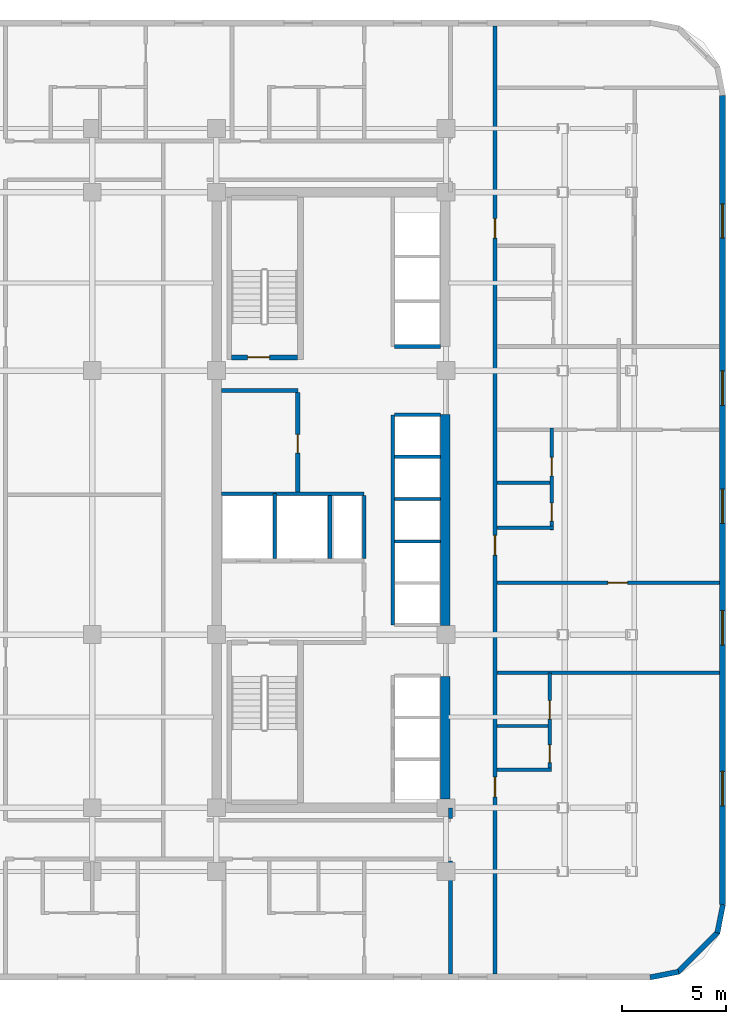
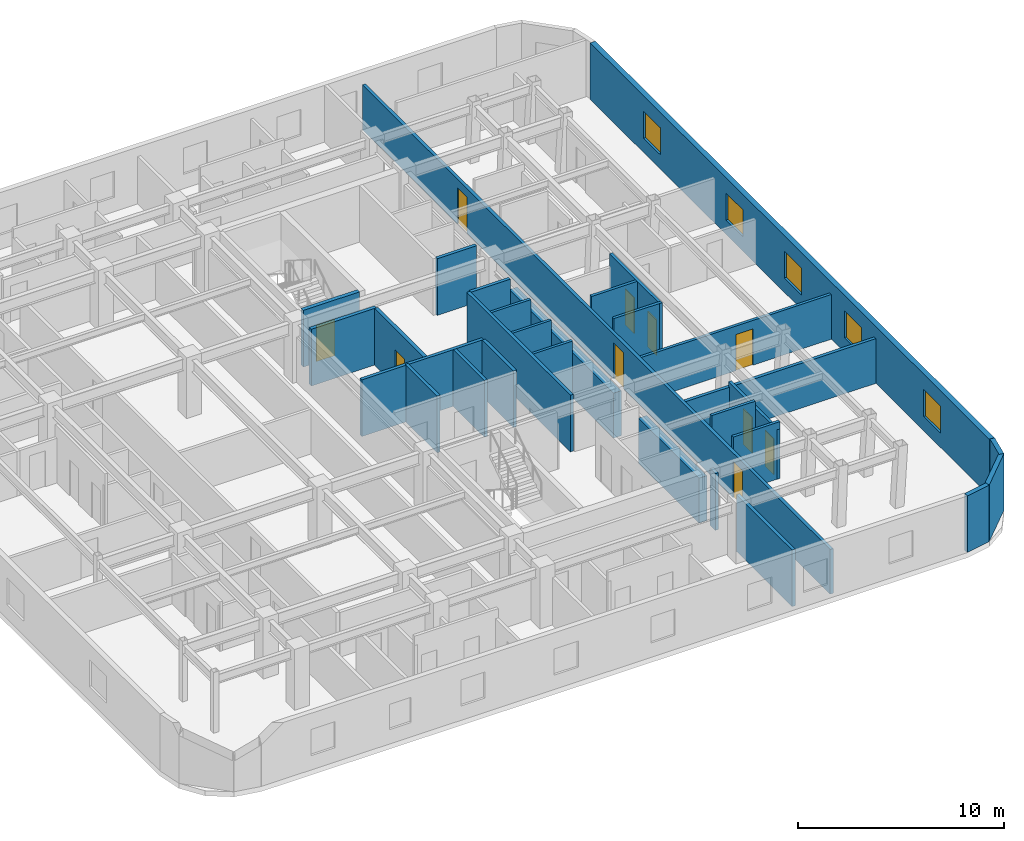
# One storey, part 8 of 12: 30 walls, 10 doors, 5 windows, 15 openings.
"""IFC4 building model written with IfcOpenShell, lengths in metres."""

from ifc_helpers import new_model, si_unit, direction, frame, frame_2d, origin, place, context, subcontext, project, spatial, rectangle, extrude, material, layer, layer_set, type_object, element, fill, save


model = new_model("IFC4")

# Units and contexts
model_context = context("Model", 3, precision=1e-05, world=origin(), true_north=direction((0.0, 1.0)))
body_context = subcontext(model_context, "Body", "Model", "MODEL_VIEW")
ifc_project = project(units=[si_unit("LENGTHUNIT", "METRE"), si_unit("AREAUNIT", "SQUARE_METRE"), si_unit("VOLUMEUNIT", "CUBIC_METRE"), si_unit("PLANEANGLEUNIT", "RADIAN"), si_unit("MASSUNIT", "GRAM", prefix="KILO")], contexts=[model_context])

# Site, building, storey
site_placement = place(None, origin())
site = spatial("IfcSite", under=ifc_project, at=site_placement, CompositionType="ELEMENT")
building_placement = place(site_placement, origin())
building = spatial("IfcBuilding", under=site, at=building_placement, Name="Ochreholt Gables", CompositionType="ELEMENT")
storey_placement = place(building_placement, frame((0.0, 0.0, 24.0)))
storey = spatial("IfcBuildingStorey", under=building, at=storey_placement, Name="L05", CompositionType="ELEMENT", Elevation=24.0)

# Walls
ifc_material_1 = material(Name="Concrete 60 MPa", Category="concrete")
ifc_layer_1 = layer(ifc_material_1, 0.449951171875, Name="Concrete 60 MPa")
ifc_layer_set_1 = layer_set([ifc_layer_1], Name="Concrete 60 MPa")
wall_type_1 = type_object("IfcWallType", Name="WALL-CSW-450", PredefinedType="SHEAR", material=ifc_layer_set_1)
wall_1_placement = place(storey_placement, frame((35.175048828125, 9.675048828125, 0.0), z_axis=(0.0, 0.0, 1.0), x_axis=(0.0, 1.0, 0.0)))
element("IfcWall", 1, at=wall_1_placement, inside=storey, type_object=wall_type_1, Name="L05 Core South-East Shear Wall", PredefinedType="SHEAR", context=body_context, shape_type="SweptSolid", body=[
    extrude(rectangle(XDim=5.875, YDim=0.449951171875, at=frame_2d((2.9375, 0.0))), origin(), (0.0, 0.0, 1.0), 2.6669921875),
])
wall_2_placement = place(storey_placement, frame((35.175048828125, 17.97509765625, 0.0), z_axis=(0.0, 0.0, 1.0), x_axis=(0.0, 1.0, 0.0)))
element("IfcWall", 2, at=wall_2_placement, inside=storey, type_object=wall_type_1, Name="L05 Core Central-East Shear Wall", PredefinedType="SHEAR", context=body_context, shape_type="SweptSolid", body=[
    extrude(rectangle(XDim=10.125, YDim=0.449951171875, at=frame_2d((5.0625, 0.0))), origin(), (0.0, 0.0, 1.0), 2.6669921875),
])

# Wall, openings, windows
ifc_material_2 = material(Name="Precast concrete 40 MPa", Category="concrete")
ifc_layer_2 = layer(ifc_material_2, 0.2900390625, Name="Precast concrete 40 MPa")
ifc_layer_set_2 = layer_set([ifc_layer_2], Name="Precast concrete 40 MPa")
wall_type_2 = type_object("IfcWallType", Name="WALL-EXT-290", PredefinedType="SOLIDWALL", material=ifc_layer_set_2)
wall_3_placement = place(storey_placement, frame((48.455078125, 4.6201171875, 0.0), z_axis=(0.0, 0.0, 1.0), x_axis=(0.0, 1.0, 0.0)))
wall_3 = element("IfcWall", 3, at=wall_3_placement, inside=storey, type_object=wall_type_2, Name="L05 East Exterior Wall", PredefinedType="SOLIDWALL", context=body_context, shape_type="SweptSolid", body=[
    extrude(rectangle(XDim=38.759765625, YDim=0.2900390625, at=frame_2d((19.3798828125, 0.0))), origin(), (0.0, 0.0, 1.0), 3.360107421875),
])
opening_1_placement = place(wall_3_placement, frame((4.72509765625, 0.0, 0.85009765625)))
opening_1 = element("IfcOpeningElement", 4, at=opening_1_placement, cuts=wall_3, Name="Opening WN-7", PredefinedType="OPENING", context=body_context, shape_type="SweptSolid", body=[
    extrude(rectangle(XDim=1.64990234375, YDim=1.60009765625, at=frame_2d((0.824951171875, 0.800048828125))), frame((0.0, 0.155029296875, 0.0), z_axis=(0.0, -1.0, 0.0), x_axis=(1.0, 0.0, 0.0)), (0.0, 0.0, 1.0), 0.31005859375),
])
opening_2_placement = place(wall_3_placement, frame((12.42919921875, 0.0, 0.85009765625)))
opening_2 = element("IfcOpeningElement", 5, at=opening_2_placement, cuts=wall_3, Name="Opening WN-7", PredefinedType="OPENING", context=body_context, shape_type="SweptSolid", body=[
    extrude(rectangle(XDim=1.64990234375, YDim=1.60009765625, at=frame_2d((0.824951171875, 0.800048828125))), frame((0.0, 0.155029296875, 0.0), z_axis=(0.0, -1.0, 0.0), x_axis=(1.0, 0.0, 0.0)), (0.0, 0.0, 1.0), 0.31005859375),
])
opening_3_placement = place(wall_3_placement, frame((18.25439453125, 0.0, 0.85009765625)))
opening_3 = element("IfcOpeningElement", 6, at=opening_3_placement, cuts=wall_3, Name="Opening WN-7", PredefinedType="OPENING", context=body_context, shape_type="SweptSolid", body=[
    extrude(rectangle(XDim=1.64990234375, YDim=1.60009765625, at=frame_2d((0.824951171875, 0.800048828125))), frame((0.0, 0.155029296875, 0.0), z_axis=(0.0, -1.0, 0.0), x_axis=(1.0, 0.0, 0.0)), (0.0, 0.0, 1.0), 0.31005859375),
])
opening_4_placement = place(wall_3_placement, frame((23.919921875, 0.0, 0.85009765625)))
opening_4 = element("IfcOpeningElement", 7, at=opening_4_placement, cuts=wall_3, Name="Opening WN-7", PredefinedType="OPENING", context=body_context, shape_type="SweptSolid", body=[
    extrude(rectangle(XDim=1.64990234375, YDim=1.60009765625, at=frame_2d((0.824951171875, 0.800048828125))), frame((0.0, 0.155029296875, 0.0), z_axis=(0.0, -1.0, 0.0), x_axis=(1.0, 0.0, 0.0)), (0.0, 0.0, 1.0), 0.31005859375),
])
opening_5_placement = place(wall_3_placement, frame((31.925048828125, 0.0, 0.85009765625)))
opening_5 = element("IfcOpeningElement", 8, at=opening_5_placement, cuts=wall_3, Name="Opening WN-7", PredefinedType="OPENING", context=body_context, shape_type="SweptSolid", body=[
    extrude(rectangle(XDim=1.64990234375, YDim=1.60009765625, at=frame_2d((0.824951171875, 0.800048828125))), frame((0.0, 0.155029296875, 0.0), z_axis=(0.0, -1.0, 0.0), x_axis=(1.0, 0.0, 0.0)), (0.0, 0.0, 1.0), 0.31005859375),
])
ifc_material_3 = material(Name="Triple-Glazed Thermally Broken Aluminium Window", Category="aluminium")
window_type = type_object("IfcWindowType", Name="WIN-RES-1650", PartitioningType="SINGLE_PANEL", PredefinedType="WINDOW", material=ifc_material_3)
window_1_placement = place(opening_1_placement, origin())
window_1 = element("IfcWindow", 9, at=window_1_placement, inside=storey, type_object=window_type, Name="L05 Window W-EXT-E-L05-1", OverallHeight=1.60009765625, OverallWidth=1.64990234375, PartitioningType="SINGLE_PANEL", PredefinedType="WINDOW", context=body_context, shape_type="SweptSolid", body=[
    extrude(rectangle(XDim=1.64990234375, YDim=1.60009765625, at=frame_2d((0.824951171875, 0.800048828125))), frame((0.0, 0.030029296875, 0.0), z_axis=(0.0, -1.0, 0.0), x_axis=(1.0, 0.0, 0.0)), (0.0, 0.0, 1.0), 0.06005859375),
])
fill(opening_1, window_1)
window_2_placement = place(opening_2_placement, origin())
window_2 = element("IfcWindow", 10, at=window_2_placement, inside=storey, type_object=window_type, Name="L05 Window W-EXT-E-L05-2", OverallHeight=1.60009765625, OverallWidth=1.64990234375, PartitioningType="SINGLE_PANEL", PredefinedType="WINDOW", context=body_context, shape_type="SweptSolid", body=[
    extrude(rectangle(XDim=1.64990234375, YDim=1.60009765625, at=frame_2d((0.824951171875, 0.800048828125))), frame((0.0, 0.030029296875, 0.0), z_axis=(0.0, -1.0, 0.0), x_axis=(1.0, 0.0, 0.0)), (0.0, 0.0, 1.0), 0.06005859375),
])
fill(opening_2, window_2)
window_3_placement = place(opening_3_placement, origin())
window_3 = element("IfcWindow", 11, at=window_3_placement, inside=storey, type_object=window_type, Name="L05 Window W-EXT-E-L05-3", OverallHeight=1.60009765625, OverallWidth=1.64990234375, PartitioningType="SINGLE_PANEL", PredefinedType="WINDOW", context=body_context, shape_type="SweptSolid", body=[
    extrude(rectangle(XDim=1.64990234375, YDim=1.60009765625, at=frame_2d((0.824951171875, 0.800048828125))), frame((0.0, 0.030029296875, 0.0), z_axis=(0.0, -1.0, 0.0), x_axis=(1.0, 0.0, 0.0)), (0.0, 0.0, 1.0), 0.06005859375),
])
fill(opening_3, window_3)
window_4_placement = place(opening_4_placement, origin())
window_4 = element("IfcWindow", 12, at=window_4_placement, inside=storey, type_object=window_type, Name="L05 Window W-EXT-E-L05-4", OverallHeight=1.60009765625, OverallWidth=1.64990234375, PartitioningType="SINGLE_PANEL", PredefinedType="WINDOW", context=body_context, shape_type="SweptSolid", body=[
    extrude(rectangle(XDim=1.64990234375, YDim=1.60009765625, at=frame_2d((0.824951171875, 0.800048828125))), frame((0.0, 0.030029296875, 0.0), z_axis=(0.0, -1.0, 0.0), x_axis=(1.0, 0.0, 0.0)), (0.0, 0.0, 1.0), 0.06005859375),
])
fill(opening_4, window_4)
window_5_placement = place(opening_5_placement, origin())
window_5 = element("IfcWindow", 13, at=window_5_placement, inside=storey, type_object=window_type, Name="L05 Window W-EXT-E-L05-5", OverallHeight=1.60009765625, OverallWidth=1.64990234375, PartitioningType="SINGLE_PANEL", PredefinedType="WINDOW", context=body_context, shape_type="SweptSolid", body=[
    extrude(rectangle(XDim=1.64990234375, YDim=1.60009765625, at=frame_2d((0.824951171875, 0.800048828125))), frame((0.0, 0.030029296875, 0.0), z_axis=(0.0, -1.0, 0.0), x_axis=(1.0, 0.0, 0.0)), (0.0, 0.0, 1.0), 0.06005859375),
])
fill(opening_5, window_5)

# Walls
ifc_layer_3 = layer(ifc_material_2, 0.25, Name="Precast concrete 40 MPa")
ifc_layer_set_3 = layer_set([ifc_layer_3], Name="Precast concrete 40 MPa")
wall_type_3 = type_object("IfcWallType", Name="WALL-EXT-CNR", PredefinedType="SOLIDWALL", material=ifc_layer_set_3)
wall_4_placement = place(storey_placement, frame((44.9833984375, 1.124267578125, 0.0), z_axis=(0.0, 0.0, 1.0), x_axis=(0.980809899341, 0.19496651342, 0.0)))
element("IfcWall", 14, at=wall_4_placement, inside=storey, type_object=wall_type_3, Name="L05 Rounded Corner Wall SE-1", PredefinedType="SOLIDWALL", context=body_context, shape_type="SweptSolid", body=[
    extrude(rectangle(XDim=1.388671875, YDim=0.25, at=frame_2d((0.6943359375, 0.0))), origin(), (0.0, 0.0, 1.0), 3.360107421875),
])
wall_5_placement = place(storey_placement, frame((46.294921875, 1.367919921875, 0.0), z_axis=(0.0, 0.0, 1.0), x_axis=(0.707106781187, 0.707106781187, 0.0)))
element("IfcWall", 15, at=wall_5_placement, inside=storey, type_object=wall_type_3, Name="L05 Rounded Corner Wall SE-2", PredefinedType="SOLIDWALL", context=body_context, shape_type="SweptSolid", body=[
    extrude(rectangle(XDim=2.7392578125, YDim=0.25, at=frame_2d((1.36962890625, 0.0))), origin(), (0.0, 0.0, 1.0), 3.360107421875),
])
wall_6_placement = place(storey_placement, frame((48.205078125, 3.25439453125, 0.0), z_axis=(0.0, 0.0, 1.0), x_axis=(0.19496651342, 0.980809899341, 0.0)))
element("IfcWall", 16, at=wall_6_placement, inside=storey, type_object=wall_type_3, Name="L05 Rounded Corner Wall SE-3", PredefinedType="SOLIDWALL", context=body_context, shape_type="SweptSolid", body=[
    extrude(rectangle(XDim=1.388671875, YDim=0.25, at=frame_2d((0.6943359375, 0.0))), origin(), (0.0, 0.0, 1.0), 3.360107421875),
])
ifc_material_4 = material(Name="Concrete 40 MPa", Category="concrete")
ifc_layer_4 = layer(ifc_material_4, 0.199951171875, Name="Concrete 40 MPa")
ifc_layer_set_4 = layer_set([ifc_layer_4], Name="Concrete 40 MPa")
wall_type_4 = type_object("IfcWallType", Name="WALL-INT-CF200", PredefinedType="STANDARD", material=ifc_layer_set_4)
wall_7_placement = place(storey_placement, frame((24.449951171875, 29.239990234375, 0.0), z_axis=(0.0, 0.0, 1.0), x_axis=(1.0, 0.0, 0.0)))
element("IfcWall", 17, at=wall_7_placement, inside=storey, type_object=wall_type_4, Name="L05 Interior Wall WI-SRVN-L05", PredefinedType="STANDARD", context=body_context, shape_type="SweptSolid", body=[
    extrude(rectangle(XDim=3.650146484375, YDim=0.199951171875, at=frame_2d((1.8251953125, 0.0))), origin(), (0.0, 0.0, 1.0), 3.360107421875),
])

# Wall, opening, door
wall_8_placement = place(storey_placement, frame((28.10009765625, 24.389892578125, 0.0), z_axis=(0.0, 0.0, 1.0), x_axis=(0.0, 1.0, 0.0)))
wall_8 = element("IfcWall", 18, at=wall_8_placement, inside=storey, type_object=wall_type_4, Name="L05 Interior Wall WI-SRVE-L05", PredefinedType="STANDARD", context=body_context, shape_type="SweptSolid", body=[
    extrude(rectangle(XDim=4.75, YDim=0.199951171875, at=frame_2d((2.375, 0.0))), origin(), (0.0, 0.0, 1.0), 3.360107421875),
])
opening_6_placement = place(wall_8_placement, frame((1.860107421875, 0.0, 0.0)))
opening_6 = element("IfcOpeningElement", 19, at=opening_6_placement, cuts=wall_8, Name="Opening D-SV1", PredefinedType="OPENING", context=body_context, shape_type="SweptSolid", body=[
    extrude(rectangle(XDim=0.89990234375, YDim=2.10009765625, at=frame_2d((0.449951171875, 1.050048828125))), frame((0.0, 0.10986328125, 0.0), z_axis=(0.0, -1.0, 0.0), x_axis=(1.0, 0.0, 0.0)), (0.0, 0.0, 1.0), 0.219970703125),
])
ifc_material_5 = material(Name="Hollow Metal Steel", Category="steel")
door_type_1 = type_object("IfcDoorType", Name="DR-INT-SRV900", OperationType="NOTDEFINED", PredefinedType="DOOR", material=ifc_material_5)
door_1_placement = place(opening_6_placement, origin())
door_1 = element("IfcDoor", 20, at=door_1_placement, inside=storey, type_object=door_type_1, Name="L05 Door D-SRV1-L05", OperationType="SINGLE_SWING_LEFT", OverallHeight=2.10009765625, OverallWidth=0.89990234375, PredefinedType="DOOR", context=body_context, shape_type="SweptSolid", body=[
    extrude(rectangle(XDim=0.89990234375, YDim=2.10009765625, at=frame_2d((0.449951171875, 1.050048828125))), frame((0.0, 0.02490234375, 0.0), z_axis=(0.0, -1.0, 0.0), x_axis=(1.0, 0.0, 0.0)), (0.0, 0.0, 1.0), 0.050048828125),
])
fill(opening_6, door_1)

# Wall, openings, doors
ifc_material_6 = material(Name="Fire-Rated Gypsum Acoustic Partition", Category="gypsum")
ifc_layer_5 = layer(ifc_material_6, 0.179931640625, Name="Fire-Rated Gypsum Acoustic Partition")
ifc_layer_set_5 = layer_set([ifc_layer_5], Name="Fire-Rated Gypsum Acoustic Partition")
wall_type_5 = type_object("IfcWallType", Name="WALL-INT-CR180", PredefinedType="STANDARD", material=ifc_layer_set_5)
wall_9_placement = place(storey_placement, frame((37.550048828125, 1.2900390625, 0.0), z_axis=(0.0, 0.0, 1.0), x_axis=(0.0, 1.0, 0.0)))
wall_9 = element("IfcWall", 21, at=wall_9_placement, inside=storey, type_object=wall_type_5, Name="L05 Interior Wall WI-C1E-L05", PredefinedType="STANDARD", context=body_context, shape_type="SweptSolid", body=[
    extrude(rectangle(XDim=45.419921875, YDim=0.179931640625, at=frame_2d((22.7099609375, 0.0))), origin(), (0.0, 0.0, 1.0), 2.64892578125),
])
opening_7_placement = place(wall_9_placement, frame((8.489990234375, 0.0, 0.0)))
opening_7 = element("IfcOpeningElement", 22, at=opening_7_placement, cuts=wall_9, Name="Opening D-UN2", PredefinedType="OPENING", context=body_context, shape_type="SweptSolid", body=[
    extrude(rectangle(XDim=0.93994140625, YDim=2.14990234375, at=frame_2d((0.469970703125, 1.074951171875))), frame((0.0, 0.099853515625, 0.0), z_axis=(0.0, -1.0, 0.0), x_axis=(1.0, 0.0, 0.0)), (0.0, 0.0, 1.0), 0.199951171875),
])
opening_8_placement = place(wall_9_placement, frame((20.072998046875, 0.0, 0.0)))
opening_8 = element("IfcOpeningElement", 23, at=opening_8_placement, cuts=wall_9, Name="Opening D-UN2", PredefinedType="OPENING", context=body_context, shape_type="SweptSolid", body=[
    extrude(rectangle(XDim=0.93994140625, YDim=2.14990234375, at=frame_2d((0.469970703125, 1.074951171875))), frame((0.0, 0.099853515625, 0.0), z_axis=(0.0, -1.0, 0.0), x_axis=(1.0, 0.0, 0.0)), (0.0, 0.0, 1.0), 0.199951171875),
])
opening_9_placement = place(wall_9_placement, frame((35.255615234375, 0.0, 0.0)))
opening_9 = element("IfcOpeningElement", 24, at=opening_9_placement, cuts=wall_9, Name="Opening D-UN2", PredefinedType="OPENING", context=body_context, shape_type="SweptSolid", body=[
    extrude(rectangle(XDim=0.93994140625, YDim=2.14990234375, at=frame_2d((0.469970703125, 1.074951171875))), frame((0.0, 0.099853515625, 0.0), z_axis=(0.0, -1.0, 0.0), x_axis=(1.0, 0.0, 0.0)), (0.0, 0.0, 1.0), 0.199951171875),
])
ifc_material_7 = material(Name="Engineered Oak Timber", Category="wood")
door_type_2 = type_object("IfcDoorType", Name="DR-INT-UNT940", OperationType="NOTDEFINED", PredefinedType="DOOR", material=ifc_material_7)
door_2_placement = place(opening_7_placement, origin())
door_2 = element("IfcDoor", 25, at=door_2_placement, inside=storey, type_object=door_type_2, Name="L05 Door D-U-L05E1-ENT", OperationType="SINGLE_SWING_RIGHT", OverallHeight=2.14990234375, OverallWidth=0.93994140625, PredefinedType="DOOR", context=body_context, shape_type="SweptSolid", body=[
    extrude(rectangle(XDim=0.93994140625, YDim=2.14990234375, at=frame_2d((0.469970703125, 1.074951171875))), frame((0.0, 0.02490234375, 0.0), z_axis=(0.0, -1.0, 0.0), x_axis=(1.0, 0.0, 0.0)), (0.0, 0.0, 1.0), 0.050048828125),
])
fill(opening_7, door_2)
door_3_placement = place(opening_8_placement, origin())
door_3 = element("IfcDoor", 26, at=door_3_placement, inside=storey, type_object=door_type_2, Name="L05 Door D-U-L05E2-ENT", OperationType="SINGLE_SWING_LEFT", OverallHeight=2.14990234375, OverallWidth=0.93994140625, PredefinedType="DOOR", context=body_context, shape_type="SweptSolid", body=[
    extrude(rectangle(XDim=0.93994140625, YDim=2.14990234375, at=frame_2d((0.469970703125, 1.074951171875))), frame((0.0, 0.02490234375, 0.0), z_axis=(0.0, -1.0, 0.0), x_axis=(1.0, 0.0, 0.0)), (0.0, 0.0, 1.0), 0.050048828125),
])
fill(opening_8, door_3)
door_4_placement = place(opening_9_placement, origin())
door_4 = element("IfcDoor", 27, at=door_4_placement, inside=storey, type_object=door_type_2, Name="L05 Door D-U-L05E3-ENT", OperationType="SINGLE_SWING_RIGHT", OverallHeight=2.14990234375, OverallWidth=0.93994140625, PredefinedType="DOOR", context=body_context, shape_type="SweptSolid", body=[
    extrude(rectangle(XDim=0.93994140625, YDim=2.14990234375, at=frame_2d((0.469970703125, 1.074951171875))), frame((0.0, 0.02490234375, 0.0), z_axis=(0.0, -1.0, 0.0), x_axis=(1.0, 0.0, 0.0)), (0.0, 0.0, 1.0), 0.050048828125),
])
fill(opening_9, door_4)

# Walls
wall_10_placement = place(storey_placement, frame((35.419921875, 8.739990234375, 0.0), z_axis=(0.0, 0.0, 1.0), x_axis=(0.0, 1.0, 0.0)))
element("IfcWall", 28, at=wall_10_placement, inside=storey, type_object=wall_type_5, Name="L05 Interior Wall WI-C1ESW2-L05", PredefinedType="STANDARD", context=body_context, shape_type="SweptSolid", body=[
    extrude(rectangle(XDim=0.510009765625, YDim=0.179931640625, at=frame_2d((0.2548828125, 0.0))), origin(), (0.0, 0.0, 1.0), 3.360107421875),
])
ifc_material_8 = material(Name="Double-Stud Acoustic Demising Wall", Category="gypsum")
ifc_layer_6 = layer(ifc_material_8, 0.179931640625, Name="Double-Stud Acoustic Demising Wall")
ifc_layer_set_6 = layer_set([ifc_layer_6], Name="Double-Stud Acoustic Demising Wall")
wall_type_6 = type_object("IfcWallType", Name="WALL-INT-DM180", PredefinedType="PARTITIONING", material=ifc_layer_set_6)
wall_11_placement = place(storey_placement, frame((35.419921875, 1.2900390625, 0.0), z_axis=(0.0, 0.0, 1.0), x_axis=(0.0, 1.0, 0.0)))
element("IfcWall", 29, at=wall_11_placement, inside=storey, type_object=wall_type_6, Name="L05 Interior Wall WI-C1ESW-L05", PredefinedType="PARTITIONING", context=body_context, shape_type="SweptSolid", body=[
    extrude(rectangle(XDim=5.419921875, YDim=0.179931640625, at=frame_2d((2.7099609375, 0.0))), origin(), (0.0, 0.0, 1.0), 3.360107421875),
])
wall_12_placement = place(storey_placement, frame((37.639892578125, 15.719970703125, 0.0), z_axis=(0.0, 0.0, 1.0), x_axis=(1.0, 0.0, 0.0)))
element("IfcWall", 30, at=wall_12_placement, inside=storey, type_object=wall_type_6, Name="L05 Interior Wall WI-UDE2-L05", PredefinedType="PARTITIONING", context=body_context, shape_type="SweptSolid", body=[
    extrude(rectangle(XDim=10.670166015625, YDim=0.179931640625, at=frame_2d((5.3349609375, 0.0))), origin(), (0.0, 0.0, 1.0), 2.64892578125),
])
ifc_material_9 = material(Name="Moisture-Resistant Plumbing Chase Wall", Category="gypsum")
ifc_layer_7 = layer(ifc_material_9, 0.159912109375, Name="Moisture-Resistant Plumbing Chase Wall")
ifc_layer_set_7 = layer_set([ifc_layer_7], Name="Moisture-Resistant Plumbing Chase Wall")
wall_type_7 = type_object("IfcWallType", Name="WALL-INT-PL160", PredefinedType="PLUMBINGWALL", material=ifc_layer_set_7)
wall_13_placement = place(storey_placement, frame((37.639892578125, 11.080078125, 0.0), z_axis=(0.0, 0.0, 1.0), x_axis=(1.0, 0.0, 0.0)))
element("IfcWall", 31, at=wall_13_placement, inside=storey, type_object=wall_type_7, Name="L05 Interior Wall WU-L05E1-WYS", PredefinedType="PLUMBINGWALL", context=body_context, shape_type="SweptSolid", body=[
    extrude(rectangle(XDim=2.606201171875, YDim=0.159912109375, at=frame_2d((1.30322265625, 0.0))), origin(), (0.0, 0.0, 1.0), 3.360107421875),
])

# Wall, openings, doors
wall_14_placement = place(storey_placement, frame((40.166015625, 10.989990234375, 0.0), z_axis=(0.0, 0.0, 1.0), x_axis=(0.0, 1.0, 0.0)))
wall_14 = element("IfcWall", 32, at=wall_14_placement, inside=storey, type_object=wall_type_7, Name="L05 Interior Wall WU-L05E1-WX", PredefinedType="PLUMBINGWALL", context=body_context, shape_type="SweptSolid", body=[
    extrude(rectangle(XDim=4.72998046875, YDim=0.159912109375, at=frame_2d((2.364990234375, 0.0))), origin(), (0.0, 0.0, 1.0), 2.931884765625),
])
opening_10_placement = place(wall_14_placement, frame((0.419921875, 0.0, 0.0)))
opening_10 = element("IfcOpeningElement", 33, at=opening_10_placement, cuts=wall_14, Name="Opening D-BT1", PredefinedType="OPENING", context=body_context, shape_type="SweptSolid", body=[
    extrude(rectangle(XDim=0.860107421875, YDim=2.1201171875, at=frame_2d((0.43017578125, 1.06005859375))), frame((0.0, 0.08984375, 0.0), z_axis=(0.0, -1.0, 0.0), x_axis=(1.0, 0.0, 0.0)), (0.0, 0.0, 1.0), 0.179931640625),
])
opening_11_placement = place(wall_14_placement, frame((2.512939453125, 0.0, 0.0)))
opening_11 = element("IfcOpeningElement", 34, at=opening_11_placement, cuts=wall_14, Name="Opening D-GN2", PredefinedType="OPENING", context=body_context, shape_type="SweptSolid", body=[
    extrude(rectangle(XDim=0.8798828125, YDim=2.1201171875, at=frame_2d((0.43994140625, 1.06005859375))), frame((0.0, 0.08984375, 0.0), z_axis=(0.0, -1.0, 0.0), x_axis=(1.0, 0.0, 0.0)), (0.0, 0.0, 1.0), 0.179931640625),
])
door_type_3 = type_object("IfcDoorType", Name="DR-INT-BTH860", OperationType="NOTDEFINED", PredefinedType="DOOR", material=ifc_material_7)
door_5_placement = place(opening_10_placement, origin())
door_5 = element("IfcDoor", 35, at=door_5_placement, inside=storey, type_object=door_type_3, Name="L05 Door D-U-L05E1-BTH", OperationType="SINGLE_SWING_LEFT", OverallHeight=2.1201171875, OverallWidth=0.860107421875, PredefinedType="DOOR", context=body_context, shape_type="SweptSolid", body=[
    extrude(rectangle(XDim=0.860107421875, YDim=2.1201171875, at=frame_2d((0.43017578125, 1.06005859375))), frame((0.0, 0.02490234375, 0.0), z_axis=(0.0, -1.0, 0.0), x_axis=(1.0, 0.0, 0.0)), (0.0, 0.0, 1.0), 0.050048828125),
])
fill(opening_10, door_5)
door_type_4 = type_object("IfcDoorType", Name="DR-INT-GEN880", OperationType="NOTDEFINED", PredefinedType="DOOR", material=ifc_material_7)
door_6_placement = place(opening_11_placement, origin())
door_6 = element("IfcDoor", 36, at=door_6_placement, inside=storey, type_object=door_type_4, Name="L05 Door D-U-L05E1-KIT", OperationType="SINGLE_SWING_RIGHT", OverallHeight=2.1201171875, OverallWidth=0.8798828125, PredefinedType="DOOR", context=body_context, shape_type="SweptSolid", body=[
    extrude(rectangle(XDim=0.8798828125, YDim=2.1201171875, at=frame_2d((0.43994140625, 1.06005859375))), frame((0.0, 0.02490234375, 0.0), z_axis=(0.0, -1.0, 0.0), x_axis=(1.0, 0.0, 0.0)), (0.0, 0.0, 1.0), 0.050048828125),
])
fill(opening_11, door_6)

# Walls
wall_15_placement = place(storey_placement, frame((37.639892578125, 13.173095703125, 0.0), z_axis=(0.0, 0.0, 1.0), x_axis=(1.0, 0.0, 0.0)))
element("IfcWall", 37, at=wall_15_placement, inside=storey, type_object=wall_type_7, Name="L05 Interior Wall WU-L05E1-WM", PredefinedType="PLUMBINGWALL", context=body_context, shape_type="SweptSolid", body=[
    extrude(rectangle(XDim=2.446044921875, YDim=0.159912109375, at=frame_2d((1.22314453125, 0.0))), origin(), (0.0, 0.0, 1.0), 3.360107421875),
])
wall_16_placement = place(storey_placement, frame((37.639892578125, 22.6630859375, 0.0), z_axis=(0.0, 0.0, 1.0), x_axis=(1.0, 0.0, 0.0)))
element("IfcWall", 38, at=wall_16_placement, inside=storey, type_object=wall_type_7, Name="L05 Interior Wall WU-L05E2-FYS", PredefinedType="PLUMBINGWALL", context=body_context, shape_type="SweptSolid", body=[
    extrude(rectangle(XDim=2.712158203125, YDim=0.159912109375, at=frame_2d((1.35595703125, 0.0))), origin(), (0.0, 0.0, 1.0), 3.360107421875),
])

# Wall, openings, doors
wall_17_placement = place(storey_placement, frame((40.27197265625, 22.572998046875, 0.0), z_axis=(0.0, 0.0, 1.0), x_axis=(0.0, 1.0, 0.0)))
wall_17 = element("IfcWall", 39, at=wall_17_placement, inside=storey, type_object=wall_type_7, Name="L05 Interior Wall WU-L05E2-WX", PredefinedType="PLUMBINGWALL", context=body_context, shape_type="SweptSolid", body=[
    extrude(rectangle(XDim=4.886962890625, YDim=0.159912109375, at=frame_2d((2.443359375, 0.0))), origin(), (0.0, 0.0, 1.0), 3.360107421875),
])
opening_12_placement = place(wall_17_placement, frame((0.419921875, 0.0, 0.0)))
opening_12 = element("IfcOpeningElement", 40, at=opening_12_placement, cuts=wall_17, Name="Opening D-BT1", PredefinedType="OPENING", context=body_context, shape_type="SweptSolid", body=[
    extrude(rectangle(XDim=0.860107421875, YDim=2.1201171875, at=frame_2d((0.43017578125, 1.06005859375))), frame((0.0, 0.08984375, 0.0), z_axis=(0.0, -1.0, 0.0), x_axis=(1.0, 0.0, 0.0)), (0.0, 0.0, 1.0), 0.179931640625),
])
opening_13_placement = place(wall_17_placement, frame((2.585205078125, 0.0, 0.0)))
opening_13 = element("IfcOpeningElement", 41, at=opening_13_placement, cuts=wall_17, Name="Opening D-GN2", PredefinedType="OPENING", context=body_context, shape_type="SweptSolid", body=[
    extrude(rectangle(XDim=0.8798828125, YDim=2.1201171875, at=frame_2d((0.43994140625, 1.06005859375))), frame((0.0, 0.08984375, 0.0), z_axis=(0.0, -1.0, 0.0), x_axis=(1.0, 0.0, 0.0)), (0.0, 0.0, 1.0), 0.179931640625),
])
door_7_placement = place(opening_12_placement, origin())
door_7 = element("IfcDoor", 42, at=door_7_placement, inside=storey, type_object=door_type_3, Name="L05 Door D-U-L05E2-BTH", OperationType="SINGLE_SWING_RIGHT", OverallHeight=2.1201171875, OverallWidth=0.860107421875, PredefinedType="DOOR", context=body_context, shape_type="SweptSolid", body=[
    extrude(rectangle(XDim=0.860107421875, YDim=2.1201171875, at=frame_2d((0.43017578125, 1.06005859375))), frame((0.0, 0.02490234375, 0.0), z_axis=(0.0, -1.0, 0.0), x_axis=(1.0, 0.0, 0.0)), (0.0, 0.0, 1.0), 0.050048828125),
])
fill(opening_12, door_7)
door_8_placement = place(opening_13_placement, origin())
door_8 = element("IfcDoor", 43, at=door_8_placement, inside=storey, type_object=door_type_4, Name="L05 Door D-U-L05E2-KIT", OperationType="SINGLE_SWING_LEFT", OverallHeight=2.1201171875, OverallWidth=0.8798828125, PredefinedType="DOOR", context=body_context, shape_type="SweptSolid", body=[
    extrude(rectangle(XDim=0.8798828125, YDim=2.1201171875, at=frame_2d((0.43994140625, 1.06005859375))), frame((0.0, 0.02490234375, 0.0), z_axis=(0.0, -1.0, 0.0), x_axis=(1.0, 0.0, 0.0)), (0.0, 0.0, 1.0), 0.050048828125),
])
fill(opening_13, door_8)

# Wall
wall_18_placement = place(storey_placement, frame((37.639892578125, 24.828125, 0.0), z_axis=(0.0, 0.0, 1.0), x_axis=(1.0, 0.0, 0.0)))
element("IfcWall", 44, at=wall_18_placement, inside=storey, type_object=wall_type_7, Name="L05 Interior Wall WU-L05E2-WK", PredefinedType="PLUMBINGWALL", context=body_context, shape_type="SweptSolid", body=[
    extrude(rectangle(XDim=2.552001953125, YDim=0.159912109375, at=frame_2d((1.27587890625, 0.0))), origin(), (0.0, 0.0, 1.0), 3.360107421875),
])

# Wall, opening, door
ifc_material_10 = material(Name="Gypsum Acoustic Stud Partition", Category="gypsum")
ifc_layer_8 = layer(ifc_material_10, 0.159912109375, Name="Gypsum Acoustic Stud Partition")
ifc_layer_set_8 = layer_set([ifc_layer_8], Name="Gypsum Acoustic Stud Partition")
wall_type_8 = type_object("IfcWallType", Name="WALL-INT-PT160", PredefinedType="PARTITIONING", material=ifc_layer_set_8)
wall_19_placement = place(storey_placement, frame((37.639892578125, 20.028564453125, 0.0), z_axis=(0.0, 0.0, 1.0), x_axis=(1.0, 0.0, 0.0)))
wall_19 = element("IfcWall", 45, at=wall_19_placement, inside=storey, type_object=wall_type_8, Name="L05 Interior Wall WU-L05E2-DNW", PredefinedType="PARTITIONING", context=body_context, shape_type="SweptSolid", body=[
    extrude(rectangle(XDim=10.670166015625, YDim=0.159912109375, at=frame_2d((5.3349609375, 0.0))), origin(), (0.0, 0.0, 1.0), 2.64892578125),
])
opening_14_placement = place(wall_19_placement, frame((5.31494140625, 0.0, 0.0)))
opening_14 = element("IfcOpeningElement", 46, at=opening_14_placement, cuts=wall_19, Name="Opening D-GN1", PredefinedType="OPENING", context=body_context, shape_type="SweptSolid", body=[
    extrude(rectangle(XDim=0.949951171875, YDim=2.14990234375, at=frame_2d((0.47509765625, 1.074951171875))), frame((0.0, 0.08984375, 0.0), z_axis=(0.0, -1.0, 0.0), x_axis=(1.0, 0.0, 0.0)), (0.0, 0.0, 1.0), 0.179931640625),
])
door_type_5 = type_object("IfcDoorType", Name="DR-INT-GEN950", OperationType="NOTDEFINED", PredefinedType="DOOR", material=ifc_material_7)
door_9_placement = place(opening_14_placement, origin())
door_9 = element("IfcDoor", 47, at=door_9_placement, inside=storey, type_object=door_type_5, Name="L05 Door D-U-L05E2-DIN", OperationType="SINGLE_SWING_RIGHT", OverallHeight=2.14990234375, OverallWidth=0.949951171875, PredefinedType="DOOR", context=body_context, shape_type="SweptSolid", body=[
    extrude(rectangle(XDim=0.949951171875, YDim=2.14990234375, at=frame_2d((0.47509765625, 1.074951171875))), frame((0.0, 0.02490234375, 0.0), z_axis=(0.0, -1.0, 0.0), x_axis=(1.0, 0.0, 0.0)), (0.0, 0.0, 1.0), 0.050048828125),
])
fill(opening_14, door_9)

# Walls
ifc_material_11 = material(Name="Gypsum Shaftliner and Steel Stud", Category="steel")
ifc_layer_9 = layer(ifc_material_11, 0.14990234375, Name="Gypsum Shaftliner and Steel Stud")
ifc_layer_set_9 = layer_set([ifc_layer_9], Name="Gypsum Shaftliner and Steel Stud")
wall_type_9 = type_object("IfcWallType", Name="WALL-INT-SH150", PredefinedType="STANDARD", material=ifc_layer_set_9)
for number, where, z_axis, x_axis, name in (
    (48, (32.739990234375, 22.02001953125, 0.0), (0.0, 0.0, 1.0), (1.0, 0.0, 0.0), "L05 Interior Wall WI-LFHE-DH2-L05"),
    (49, (32.739990234375, 24.050048828125, 0.0), (0.0, 0.0, 1.0), (1.0, 0.0, 0.0), "L05 Interior Wall WI-LFHE-DHE-L05"),
    (50, (32.739990234375, 26.070068359375, 0.0), (0.0, 0.0, 1.0), (1.0, 0.0, 0.0), "L05 Interior Wall WI-LFHE-DEX1-L05"),
):
    element("IfcWall", number, at=place(storey_placement, frame(where, z_axis=z_axis, x_axis=x_axis)), inside=storey, type_object=wall_type_9, Name=name, PredefinedType="STANDARD", context=body_context, shape_type="SweptSolid", body=[
        extrude(rectangle(XDim=2.2099609375, YDim=0.14990234375, at=frame_2d((1.10498046875, 0.0))), origin(), (0.0, 0.0, 1.0), 3.360107421875),
    ])
ifc_layer_10 = layer(ifc_material_11, 0.179931640625, Name="Gypsum Shaftliner and Steel Stud")
ifc_layer_set_10 = layer_set([ifc_layer_10], Name="Gypsum Shaftliner and Steel Stud")
wall_type_10 = type_object("IfcWallType", Name="WALL-INT-SH180", PredefinedType="STANDARD", material=ifc_layer_set_10)
wall_20_placement = place(storey_placement, frame((27.0, 21.18994140625, 0.0), z_axis=(0.0, 0.0, 1.0), x_axis=(0.0, 1.0, 0.0)))
element("IfcWall", 51, at=wall_20_placement, inside=storey, type_object=wall_type_10, Name="L05 Interior Wall WI-FFDIV-L05", PredefinedType="STANDARD", context=body_context, shape_type="SweptSolid", body=[
    extrude(rectangle(XDim=3.110107421875, YDim=0.179931640625, at=frame_2d((1.55517578125, 0.0))), origin(), (0.0, 0.0, 1.0), 3.360107421875),
])
wall_21_placement = place(storey_placement, frame((24.449951171875, 24.300048828125, 0.0), z_axis=(0.0, 0.0, 1.0), x_axis=(1.0, 0.0, 0.0)))
element("IfcWall", 52, at=wall_21_placement, inside=storey, type_object=wall_type_10, Name="L05 Interior Wall WI-FFBK-L05", PredefinedType="STANDARD", context=body_context, shape_type="SweptSolid", body=[
    extrude(rectangle(XDim=6.830078125, YDim=0.179931640625, at=frame_2d((3.4150390625, 0.0))), origin(), (0.0, 0.0, 1.0), 3.360107421875),
])
for number, where, z_axis, x_axis, name in (
    (53, (29.64990234375, 21.18994140625, 0.0), (0.0, 0.0, 1.0), (0.0, 1.0, 0.0), "L05 Interior Wall WI-FFSH-L05"),
    (54, (31.280029296875, 21.18994140625, 0.0), (0.0, 0.0, 1.0), (0.0, 1.0, 0.0), "L05 Interior Wall WI-RSE-L05"),
):
    element("IfcWall", number, at=place(storey_placement, frame(where, z_axis=z_axis, x_axis=x_axis)), inside=storey, type_object=wall_type_10, Name=name, PredefinedType="STANDARD", context=body_context, shape_type="SweptSolid", body=[
        extrude(rectangle(XDim=3.02001953125, YDim=0.179931640625, at=frame_2d((1.510009765625, 0.0))), origin(), (0.0, 0.0, 1.0), 3.360107421875),
    ])
wall_22_placement = place(storey_placement, frame((32.64990234375, 18.02001953125, 0.0), z_axis=(0.0, 0.0, 1.0), x_axis=(0.0, 1.0, 0.0)))
element("IfcWall", 55, at=wall_22_placement, inside=storey, type_object=wall_type_10, Name="L05 Interior Wall WI-LFHE-FR-L05", PredefinedType="STANDARD", context=body_context, shape_type="SweptSolid", body=[
    extrude(rectangle(XDim=10.06005859375, YDim=0.179931640625, at=frame_2d((5.030029296875, 0.0))), origin(), (0.0, 0.0, 1.0), 3.360107421875),
])
for number, where, z_axis, x_axis, name in (
    (56, (32.739990234375, 28.080078125, 0.0), (0.0, 0.0, 1.0), (1.0, 0.0, 0.0), "L05 Interior Wall WI-LFHE-N-L05"),
    (57, (32.739990234375, 31.35009765625, 0.0), (0.0, 0.0, 1.0), (1.0, 0.0, 0.0), "L05 Interior Wall WI-LFM-S-L05"),
):
    element("IfcWall", number, at=place(storey_placement, frame(where, z_axis=z_axis, x_axis=x_axis)), inside=storey, type_object=wall_type_10, Name=name, PredefinedType="STANDARD", context=body_context, shape_type="SweptSolid", body=[
        extrude(rectangle(XDim=2.2099609375, YDim=0.179931640625, at=frame_2d((1.10498046875, 0.0))), origin(), (0.0, 0.0, 1.0), 3.360107421875),
    ])

# Wall, opening, door
ifc_material_12 = material(Name="Concrete 50 MPa", Category="concrete")
ifc_layer_11 = layer(ifc_material_12, 0.219970703125, Name="Concrete 50 MPa")
ifc_layer_set_11 = layer_set([ifc_layer_11], Name="Concrete 50 MPa")
wall_type_11 = type_object("IfcWallType", Name="WALL-STW-220", PredefinedType="SHEAR", material=ifc_layer_set_11)
wall_23_placement = place(storey_placement, frame((24.919921875, 30.830078125, 0.0), z_axis=(0.0, 0.0, 1.0), x_axis=(1.0, 0.0, 0.0)))
wall_23 = element("IfcWall", 58, at=wall_23_placement, inside=storey, type_object=wall_type_11, Name="L05 Exit Stair 2 South Wall", PredefinedType="SHEAR", context=body_context, shape_type="SweptSolid", body=[
    extrude(rectangle(XDim=3.16015625, YDim=0.219970703125, at=frame_2d((1.580078125, 0.0))), origin(), (0.0, 0.0, 1.0), 3.360107421875),
])
opening_15_placement = place(wall_23_placement, frame((0.780029296875, 0.0, 0.0)))
opening_15 = element("IfcOpeningElement", 59, at=opening_15_placement, cuts=wall_23, Name="Opening D-STC", PredefinedType="OPENING", context=body_context, shape_type="SweptSolid", body=[
    extrude(rectangle(XDim=1.050048828125, YDim=2.14990234375, at=frame_2d((0.52490234375, 1.074951171875))), frame((0.0, 0.119873046875, 0.0), z_axis=(0.0, -1.0, 0.0), x_axis=(1.0, 0.0, 0.0)), (0.0, 0.0, 1.0), 0.239990234375),
])
door_type_6 = type_object("IfcDoorType", Name="DR-INT-ST1050", OperationType="NOTDEFINED", PredefinedType="DOOR", material=ifc_material_5)
door_10_placement = place(opening_15_placement, origin())
door_10 = element("IfcDoor", 60, at=door_10_placement, inside=storey, type_object=door_type_6, Name="L05 Door D-ST2-L05", OperationType="SINGLE_SWING_RIGHT", OverallHeight=2.14990234375, OverallWidth=1.050048828125, PredefinedType="DOOR", context=body_context, shape_type="SweptSolid", body=[
    extrude(rectangle(XDim=1.050048828125, YDim=2.14990234375, at=frame_2d((0.52490234375, 1.074951171875))), frame((0.0, 0.02490234375, 0.0), z_axis=(0.0, -1.0, 0.0), x_axis=(1.0, 0.0, 0.0)), (0.0, 0.0, 1.0), 0.050048828125),
])
fill(opening_15, door_10)

save(model, "model.ifc")
